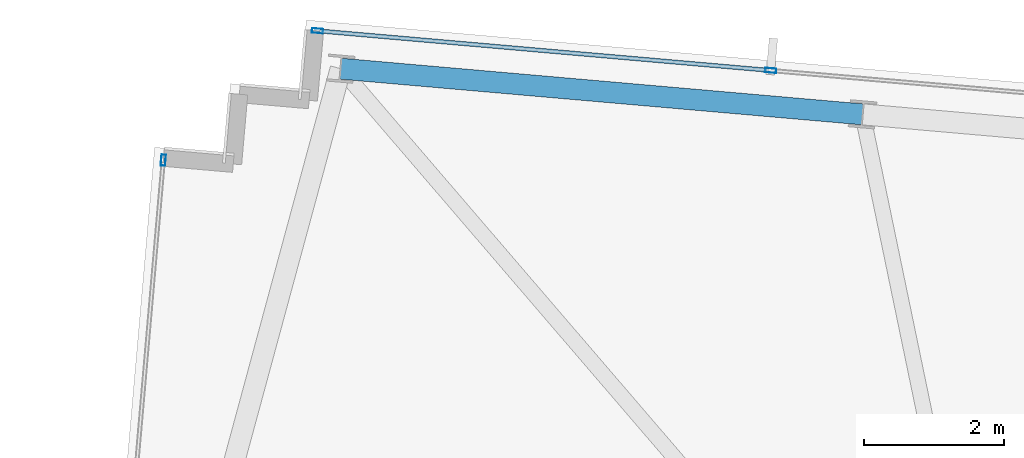
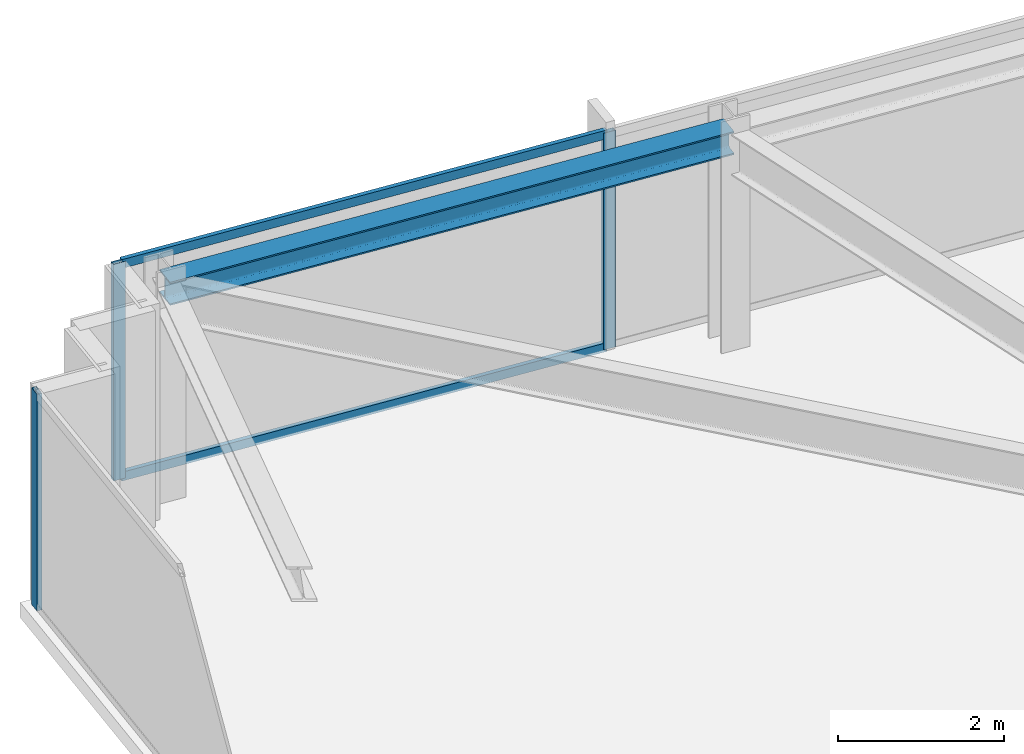
# One storey, part 23 of 32: 5 members, 1 beam, 2 elements without a shape of their own.
"""IFC4 building model written with IfcOpenShell, lengths in metres."""

from ifc_helpers import new_model, si_unit, direction, frame, origin, origin_2d, place, context, subcontext, project, spatial, hollow_rectangle, i_section, extrude, material, material_profile, profile_set, type_object, element, aggregate, save


model = new_model("IFC4")

# Units and contexts
model_context = context("Model", 3, precision=1e-05, world=origin(), true_north=direction((0.0, 1.0)))
body_context = subcontext(model_context, "Body", "Model", "MODEL_VIEW")
ifc_project = project(units=[si_unit("LENGTHUNIT", "METRE"), si_unit("AREAUNIT", "SQUARE_METRE"), si_unit("VOLUMEUNIT", "CUBIC_METRE"), si_unit("PLANEANGLEUNIT", "RADIAN"), si_unit("MASSUNIT", "GRAM", prefix="KILO")], contexts=[model_context])

# Site, building, storey
site_placement = place(None, origin())
site = spatial("IfcSite", under=ifc_project, at=site_placement, CompositionType="ELEMENT")
building_placement = place(site_placement, origin())
building = spatial("IfcBuilding", under=site, at=building_placement, Name="Yelkora Congress Tower", CompositionType="ELEMENT")
storey_placement = place(building_placement, frame((0.0, 0.0, 276.10009765625)))
storey = spatial("IfcBuildingStorey", under=building, at=storey_placement, Name="L77", CompositionType="ELEMENT", Elevation=276.10009765625)

# Beam
ifc_material_1 = material(Name="Steel S355J2", Category="steel")
ifc_material_profile_1 = material_profile(ifc_material_1, i_section(OverallWidth=0.300048828125, OverallDepth=0.340087890625, WebThickness=0.011962890625, FlangeThickness=0.021484375, FilletRadius=0.027099609375, at=origin_2d()), Name="HEB 340")
ifc_profile_set_1 = profile_set([ifc_material_profile_1], Name="Steel S355J2")
beam_type = type_object("IfcBeamType", Name="BM-SPAN-HEB340", PredefinedType="SPANDREL", material=ifc_profile_set_1)
beam_placement = place(storey_placement, frame((18.058837890625, 49.231689453125, 3.010009765625), z_axis=(-0.996193186297, 0.08717302092, 0.0), x_axis=(-0.08717302092, -0.996193186297, 0.0)))
element("IfcBeam", 1, at=beam_placement, inside=storey, type_object=beam_type, Name="L77 Perimeter Beam 12", PredefinedType="SPANDREL", context=body_context, shape_type="SweptSolid", body=[
    extrude(i_section(OverallWidth=0.300048828125, OverallDepth=0.340087890625, WebThickness=0.011962890625, FlangeThickness=0.021484375, FilletRadius=0.027099609375, at=origin_2d()), origin(), (0.0, 0.0, 1.0), 7.4833984375),
])

# Curtain wall, member
ifc_material_2 = material(Name="Anodised aluminium and insulated glass", Category="aluminium")
curtain_wall_type = type_object("IfcCurtainWallType", Name="CW-SYS-B5", PredefinedType="NOTDEFINED", material=ifc_material_2)
curtain_wall_1_placement = place(storey_placement, origin())
curtain_wall_1 = element("IfcCurtainWall", 2, at=curtain_wall_1_placement, inside=storey, type_object=curtain_wall_type, Name="L77 Unitised Curtain Wall 5", PredefinedType="NOTDEFINED")
ifc_material_3 = material(Name="Anodised aluminium 6063-T6", Category="aluminium")
ifc_material_profile_2 = material_profile(ifc_material_3, hollow_rectangle(XDim=0.06494140625, YDim=0.159912109375, WallThickness=0.00390625, at=origin_2d()), Name="ALU 65x160x4")
ifc_profile_set_2 = profile_set([ifc_material_profile_2], Name="Anodised aluminium 6063-T6")
member_type_1 = type_object("IfcMemberType", Name="MEM-ML-B5", PredefinedType="MULLION", material=ifc_profile_set_2)
member_1_placement = place(storey_placement, frame((8.070556640625, 48.577392578125, 0.0), z_axis=(0.0, 0.0, 1.0), x_axis=(-0.996194785929, 0.08715473876, 0.0)))
member_1 = element("IfcMember", 3, at=member_1_placement, type_object=member_type_1, Name="CW-B5 mullion 5", PredefinedType="MULLION", context=body_context, shape_type="SweptSolid", body=[
    extrude(hollow_rectangle(XDim=0.06494140625, YDim=0.159912109375, WallThickness=0.00390625, at=origin_2d()), origin(), (0.0, 0.0, 1.0), 3.179931640625),
])
aggregate(curtain_wall_1, [member_1])

# Curtain wall, members
curtain_wall_2_placement = place(storey_placement, origin())
curtain_wall_2 = element("IfcCurtainWall", 4, at=curtain_wall_2_placement, inside=storey, type_object=curtain_wall_type, Name="L77 Unitised Curtain Wall 10", PredefinedType="NOTDEFINED")
member_2_placement = place(storey_placement, frame((10.2724609375, 50.425048828125, 0.0), z_axis=(0.0, 0.0, 1.0), x_axis=(0.087156639893, 0.996194619601, 0.0)))
member_2 = element("IfcMember", 5, at=member_2_placement, type_object=member_type_1, Name="CW-B5 mullion 1", PredefinedType="MULLION", context=body_context, shape_type="SweptSolid", body=[
    extrude(hollow_rectangle(XDim=0.06494140625, YDim=0.159912109375, WallThickness=0.00390625, at=origin_2d()), origin(), (0.0, 0.0, 1.0), 3.179931640625),
])
member_3_placement = place(storey_placement, frame((16.74658203125, 49.858642578125, 0.0), z_axis=(0.0, 0.0, 1.0), x_axis=(0.087156639893, 0.996194619601, 0.0)))
member_3 = element("IfcMember", 6, at=member_3_placement, type_object=member_type_1, Name="CW-B5 mullion 2", PredefinedType="MULLION", context=body_context, shape_type="SweptSolid", body=[
    extrude(hollow_rectangle(XDim=0.06494140625, YDim=0.159912109375, WallThickness=0.00390625, at=origin_2d()), origin(), (0.0, 0.0, 1.0), 3.179931640625),
])
ifc_material_profile_3 = material_profile(ifc_material_3, hollow_rectangle(XDim=0.06005859375, YDim=0.1298828125, WallThickness=0.00390625, at=origin_2d()), Name="ALU 60x130x4")
ifc_profile_set_3 = profile_set([ifc_material_profile_3], Name="Anodised aluminium 6063-T6")
member_type_2 = type_object("IfcMemberType", Name="MEM-TR-B5", PredefinedType="USERDEFINED", material=ifc_profile_set_3)
member_4_placement = place(storey_placement, frame((10.3046875, 50.422119140625, 0.02978515625), z_axis=(0.996194170551, -0.08716177236, 0.0), x_axis=(0.08716177236, 0.996194170551, 0.0)))
member_4 = element("IfcMember", 7, at=member_4_placement, type_object=member_type_2, Name="CW-B5 transom 1.1", ObjectType="TRANSOM", PredefinedType="USERDEFINED", context=body_context, shape_type="SweptSolid", body=[
    extrude(hollow_rectangle(XDim=0.06005859375, YDim=0.1298828125, WallThickness=0.00390625, at=origin_2d()), origin(), (0.0, 0.0, 1.0), 6.433837890625),
])
member_5_placement = place(storey_placement, frame((10.3046875, 50.422119140625, 3.14990234375), z_axis=(0.996194170551, -0.08716177236, 0.0), x_axis=(0.08716177236, 0.996194170551, 0.0)))
member_5 = element("IfcMember", 8, at=member_5_placement, type_object=member_type_2, Name="CW-B5 transom 1.2", ObjectType="TRANSOM", PredefinedType="USERDEFINED", context=body_context, shape_type="SweptSolid", body=[
    extrude(hollow_rectangle(XDim=0.06005859375, YDim=0.1298828125, WallThickness=0.00390625, at=origin_2d()), origin(), (0.0, 0.0, 1.0), 6.433837890625),
])
aggregate(curtain_wall_2, [member_2, member_3, member_4, member_5])

save(model, "model.ifc")
